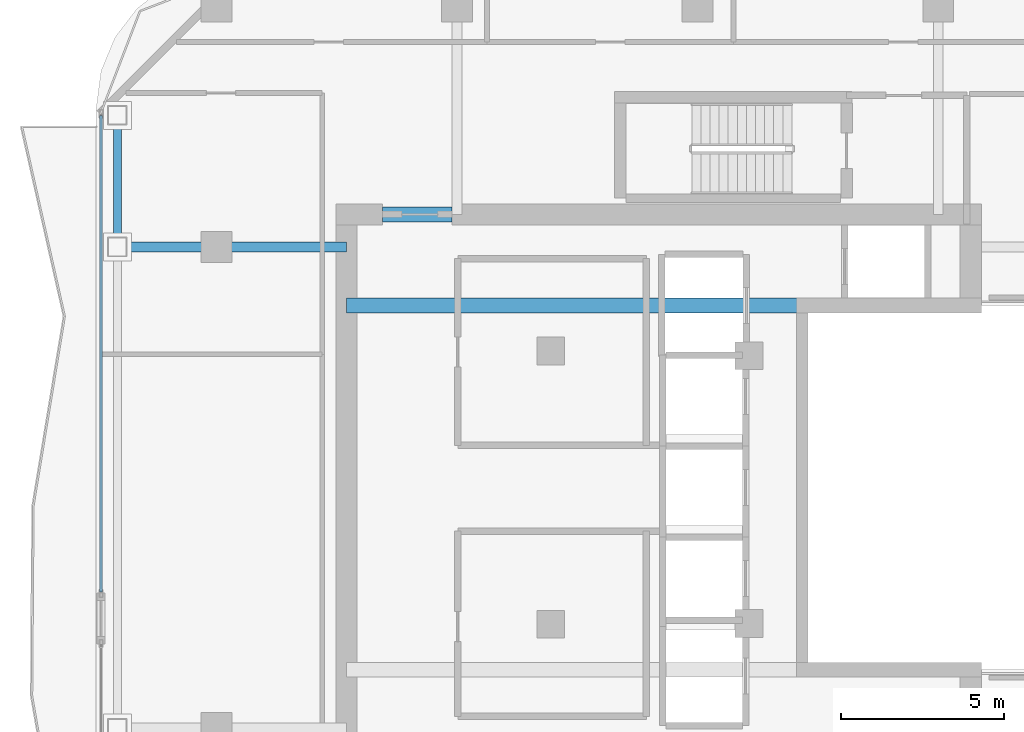
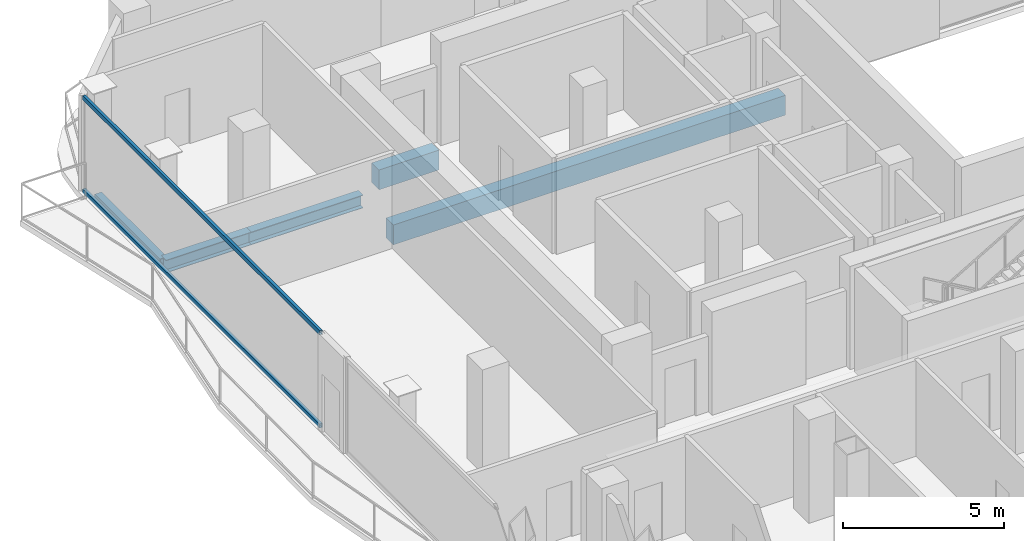
# One storey, part 13 of 26: 5 beams, 2 members, 1 element without a shape of its own.
"""IFC4 building model written with IfcOpenShell, lengths in metres."""

from ifc_helpers import new_model, si_unit, direction, frame, origin, origin_2d, place, context, subcontext, project, spatial, rectangle, hollow_rectangle, i_section, extrude, material, layer, layer_set, material_profile, profile_set, type_object, element, aggregate, save


model = new_model("IFC4")

# Units and contexts
model_context = context("Model", 3, precision=1e-05, world=origin(), true_north=direction((0.0, 1.0)))
body_context = subcontext(model_context, "Body", "Model", "MODEL_VIEW")
ifc_project = project(units=[si_unit("LENGTHUNIT", "METRE"), si_unit("AREAUNIT", "SQUARE_METRE"), si_unit("VOLUMEUNIT", "CUBIC_METRE"), si_unit("PLANEANGLEUNIT", "RADIAN"), si_unit("MASSUNIT", "GRAM", prefix="KILO")], contexts=[model_context])

# Site, building, storey
site_placement = place(None, origin())
site = spatial("IfcSite", under=ifc_project, at=site_placement, CompositionType="ELEMENT")
building_placement = place(site_placement, origin())
building = spatial("IfcBuilding", under=site, at=building_placement, Name="Khorvyn Point Tower", CompositionType="ELEMENT")
storey_placement = place(building_placement, frame((0.0, 0.0, 250.800048828125)))
storey = spatial("IfcBuildingStorey", under=building, at=storey_placement, Name="L61", CompositionType="ELEMENT", Elevation=250.800048828125)

# Curtain wall, members
ifc_material_1 = material(Name="Anodised aluminium 6063-T6 and laminated Low-E glass", Category="aluminium")
ifc_layer = layer(ifc_material_1, 0.18994140625)
ifc_layer_set = layer_set([ifc_layer], Name="Stick-Built Acoustic Curtain Wall CW-SYS-03")
curtain_wall_type = type_object("IfcCurtainWallType", Name="Stick-Built Acoustic Curtain Wall CW-SYS-03", PredefinedType="NOTDEFINED", material=ifc_layer_set)
curtain_wall_placement = place(storey_placement, origin())
curtain_wall = element("IfcCurtainWall", 1, at=curtain_wall_placement, inside=storey, type_object=curtain_wall_type, Name="Curtain Wall", PredefinedType="NOTDEFINED")
ifc_material_2 = material(Name="Anodised aluminium 6063-T6", Category="aluminium")
ifc_material_profile_1 = material_profile(ifc_material_2, hollow_rectangle(XDim=0.10009765625, YDim=0.159912109375, WallThickness=0.00439453125, at=origin_2d()))
ifc_profile_set_1 = profile_set([ifc_material_profile_1], Name="Anodised aluminium 6063-T6 ALU-TRN-100x160")
member_type = type_object("IfcMemberType", Name="Anodised Aluminium 6063-T6 Transom ALU-TRN-100x160", PredefinedType="USERDEFINED", material=ifc_profile_set_1)
member_1_placement = place(storey_placement, frame((-18.35009765625, -3.2099609375, 0.050048828125), z_axis=(0.0, 1.0, 0.0), x_axis=(-1.0, 0.0, 0.0)))
member_1 = element("IfcMember", 2, at=member_1_placement, type_object=member_type, Name="Transom", ObjectType="TRANSOM", PredefinedType="USERDEFINED", context=body_context, shape_type="SweptSolid", body=[
    extrude(hollow_rectangle(XDim=0.10009765625, YDim=0.159912109375, WallThickness=0.00439453125, at=origin_2d()), origin(), (0.0, 0.0, 1.0), 14.659912109375),
])
member_2_placement = place(storey_placement, frame((-18.35009765625, -3.2099609375, 3.570068359375), z_axis=(0.0, 1.0, 0.0), x_axis=(-1.0, 0.0, 0.0)))
member_2 = element("IfcMember", 3, at=member_2_placement, type_object=member_type, Name="Transom", ObjectType="TRANSOM", PredefinedType="USERDEFINED", context=body_context, shape_type="SweptSolid", body=[
    extrude(hollow_rectangle(XDim=0.10009765625, YDim=0.159912109375, WallThickness=0.00439453125, at=origin_2d()), origin(), (0.0, 0.0, 1.0), 14.659912109375),
])
aggregate(curtain_wall, [member_1, member_2])

# Beams
ifc_material_3 = material(Name="Concrete C40/50", Category="concrete")
ifc_material_profile_2 = material_profile(ifc_material_3, rectangle(XDim=0.449951171875, YDim=0.75, at=origin_2d()))
ifc_profile_set_2 = profile_set([ifc_material_profile_2], Name="Concrete C40/50 RC450x750")
beam_type_1 = type_object("IfcBeamType", Name="Concrete C40/50 Beam RC450x750", PredefinedType="BEAM", material=ifc_profile_set_2)
beam_1_placement = place(storey_placement, frame((-10.800048828125, 5.60009765625, -0.594970703125), z_axis=(1.0, 0.0, 0.0), x_axis=(0.0, 1.0, 0.0)))
element("IfcBeam", 4, at=beam_1_placement, inside=storey, type_object=beam_type_1, Name="L61 Core Internal Tie Girder N", PredefinedType="BEAM", context=body_context, shape_type="SweptSolid", body=[
    extrude(rectangle(XDim=0.449951171875, YDim=0.75, at=origin_2d()), origin(), (0.0, 0.0, 1.0), 14.02001953125),
])
beam_2_placement = place(storey_placement, frame((-9.699951171875, 8.39990234375, -0.594970703125), z_axis=(1.0, 0.0, 0.0), x_axis=(0.0, 1.0, 0.0)))
element("IfcBeam", 5, at=beam_2_placement, inside=storey, type_object=beam_type_1, Name="L61 Core Northwest Portal Coupling Beam", PredefinedType="BEAM", context=body_context, shape_type="SweptSolid", body=[
    extrude(rectangle(XDim=0.449951171875, YDim=0.75, at=origin_2d()), origin(), (0.0, 0.0, 1.0), 2.14990234375),
])
ifc_material_4 = material(Name="Steel S355", Category="steel")
ifc_material_profile_3 = material_profile(ifc_material_4, i_section(OverallWidth=0.300048828125, OverallDepth=0.488037109375, WebThickness=0.010986328125, FlangeThickness=0.01806640625, at=origin_2d()))
ifc_profile_set_3 = profile_set([ifc_material_profile_3], Name="Steel S355 H488x300x11x18")
beam_type_2 = type_object("IfcBeamType", Name="Steel S355 Spandrel H488x300x11x18", PredefinedType="SPANDREL", material=ifc_profile_set_3)
beam_3_placement = place(storey_placement, frame((-17.85009765625, 7.39990234375, -0.464111328125), z_axis=(1.0, 0.0, 0.0), x_axis=(0.0, 1.0, 0.0)))
element("IfcBeam", 6, at=beam_3_placement, inside=storey, type_object=beam_type_2, Name="Beam", PredefinedType="SPANDREL", context=body_context, shape_type="SweptSolid", body=[
    extrude(i_section(OverallWidth=0.300048828125, OverallDepth=0.488037109375, WebThickness=0.010986328125, FlangeThickness=0.01806640625, at=origin_2d()), origin(), (0.0, 0.0, 1.0), 3.050048828125),
])
beam_4_placement = place(storey_placement, frame((-14.800048828125, 7.39990234375, -0.464111328125), z_axis=(1.0, 0.0, 0.0), x_axis=(0.0, 1.0, 0.0)))
element("IfcBeam", 7, at=beam_4_placement, inside=storey, type_object=beam_type_2, Name="Beam", PredefinedType="SPANDREL", context=body_context, shape_type="SweptSolid", body=[
    extrude(i_section(OverallWidth=0.300048828125, OverallDepth=0.488037109375, WebThickness=0.010986328125, FlangeThickness=0.01806640625, at=origin_2d()), origin(), (0.0, 0.0, 1.0), 4.0),
])
ifc_material_profile_4 = material_profile(ifc_material_4, hollow_rectangle(XDim=0.25, YDim=0.39990234375, WallThickness=0.01611328125, at=origin_2d()))
ifc_profile_set_4 = profile_set([ifc_material_profile_4], Name="Steel S355 RHS400x250x16")
beam_type_3 = type_object("IfcBeamType", Name="Steel S355 Spandrel RHS400x250x16", PredefinedType="SPANDREL", material=ifc_profile_set_4)
beam_5_placement = place(storey_placement, frame((-17.85009765625, 7.39990234375, -0.420166015625), z_axis=(0.0, 1.0, 0.0), x_axis=(-1.0, 0.0, 0.0)))
element("IfcBeam", 8, at=beam_5_placement, inside=storey, type_object=beam_type_3, Name="Beam", PredefinedType="SPANDREL", context=body_context, shape_type="SweptSolid", body=[
    extrude(hollow_rectangle(XDim=0.25, YDim=0.39990234375, WallThickness=0.01611328125, at=origin_2d()), origin(), (0.0, 0.0, 1.0), 4.050048828125),
])

save(model, "model.ifc")
